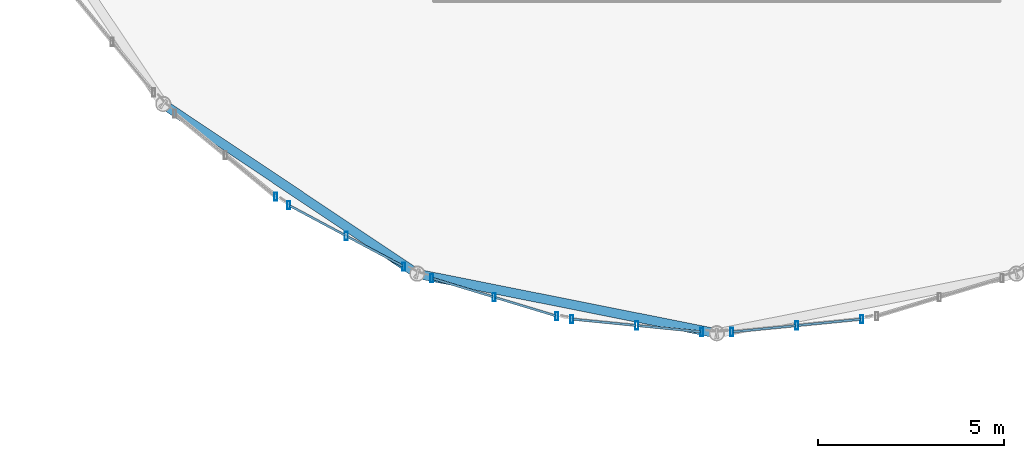
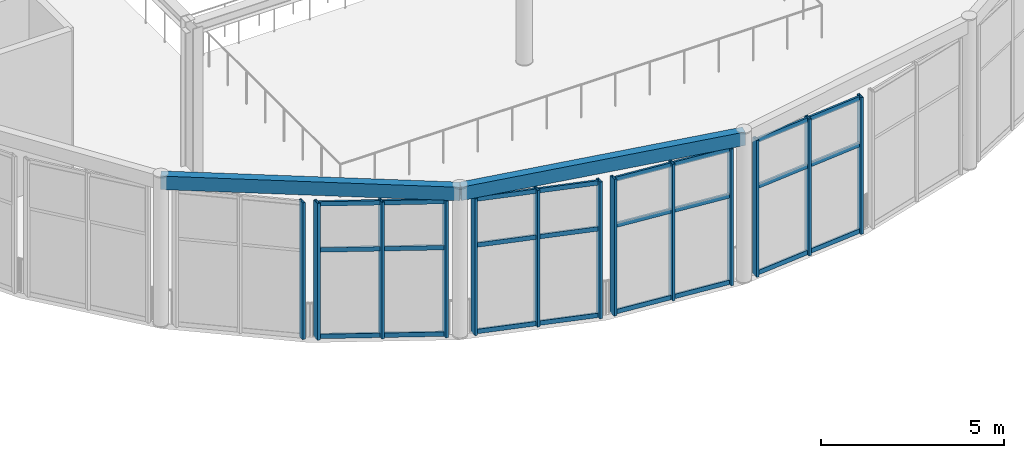
# One storey, part 23 of 195: 37 members, 2 beams, 5 elements without a shape of their own.
"""IFC4 building model written with IfcOpenShell, lengths in metres."""

from ifc_helpers import new_model, si_unit, direction, frame, origin, origin_2d, place, context, subcontext, project, spatial, hollow_rectangle, extrude, material, layer, layer_set, material_profile, profile_set, type_object, element, aggregate, save


model = new_model("IFC4")

# Units and contexts
model_context = context("Model", 3, precision=1e-05, world=origin(), true_north=direction((0.0, 1.0)))
body_context = subcontext(model_context, "Body", "Model", "MODEL_VIEW")
ifc_project = project(units=[si_unit("LENGTHUNIT", "METRE"), si_unit("AREAUNIT", "SQUARE_METRE"), si_unit("VOLUMEUNIT", "CUBIC_METRE"), si_unit("PLANEANGLEUNIT", "RADIAN"), si_unit("MASSUNIT", "GRAM", prefix="KILO")], contexts=[model_context])

# Site, building, storey
site_placement = place(None, origin())
site = spatial("IfcSite", under=ifc_project, at=site_placement, CompositionType="ELEMENT")
building_placement = place(site_placement, origin())
building = spatial("IfcBuilding", under=site, at=building_placement, Name="Marlcrest Central Station", CompositionType="ELEMENT")
storey_placement = place(building_placement, frame((0.0, 0.0, 9.800048828125)))
storey = spatial("IfcBuildingStorey", under=building, at=storey_placement, Name="L02", CompositionType="ELEMENT", Elevation=9.800048828125)

# Curtain wall, member
ifc_material_1 = material(Name="Anodised aluminium and hurricane laminated glass", Category="aluminium")
ifc_layer = layer(ifc_material_1, 0.219970703125, Name="CW-U1")
ifc_layer_set = layer_set([ifc_layer], Name="Anodised aluminium and hurricane laminated glass")
curtain_wall_type = type_object("IfcCurtainWallType", Name="CW-U1", PredefinedType="USERDEFINED", material=ifc_layer_set)
curtain_wall_1_placement = place(storey_placement, origin())
curtain_wall_1 = element("IfcCurtainWall", 1, at=curtain_wall_1_placement, inside=storey, type_object=curtain_wall_type, Name="cw-L02-0029", ObjectType="UNITISED_CURTAIN_WALL", PredefinedType="USERDEFINED")
ifc_material_2 = material(Name="Anodised aluminium 6063-T6", Category="aluminium")
ifc_material_profile_1 = material_profile(ifc_material_2, hollow_rectangle(XDim=0.080078125, YDim=0.219970703125, WallThickness=0.006103515625, at=origin_2d()), Name="AA-RHS 220x80x6")
ifc_profile_set_1 = profile_set([ifc_material_profile_1], Name="Anodised aluminium 6063-T6")
member_type_1 = type_object("IfcMemberType", Name="ML-01", PredefinedType="MULLION", material=ifc_profile_set_1)
member_1_placement = place(storey_placement, frame((96.173828125, 5.169677734375, -0.030029296875), z_axis=(0.0, 0.0, 1.0), x_axis=(1.0, 0.0, 0.0)))
member_1 = element("IfcMember", 2, at=member_1_placement, type_object=member_type_1, Name="cw-L02-0029-ml-0", PredefinedType="MULLION", context=body_context, shape_type="SweptSolid", body=[
    extrude(hollow_rectangle(XDim=0.080078125, YDim=0.219970703125, WallThickness=0.006103515625, at=origin_2d()), origin(), (0.0, 0.0, 1.0), 4.56005859375),
])
aggregate(curtain_wall_1, [member_1])

# Curtain wall, members
curtain_wall_2_placement = place(storey_placement, origin())
curtain_wall_2 = element("IfcCurtainWall", 3, at=curtain_wall_2_placement, inside=storey, type_object=curtain_wall_type, Name="cw-L02-0030", ObjectType="UNITISED_CURTAIN_WALL", PredefinedType="USERDEFINED")
member_2_placement = place(storey_placement, frame((99.607666015625, 3.289306640625, -0.030029296875), z_axis=(0.0, 0.0, 1.0), x_axis=(1.0, 0.0, 0.0)))
member_2 = element("IfcMember", 4, at=member_2_placement, type_object=member_type_1, Name="cw-L02-0030-ml-0", PredefinedType="MULLION", context=body_context, shape_type="SweptSolid", body=[
    extrude(hollow_rectangle(XDim=0.080078125, YDim=0.219970703125, WallThickness=0.006103515625, at=origin_2d()), origin(), (0.0, 0.0, 1.0), 4.56005859375),
])
member_3_placement = place(storey_placement, frame((98.06103515625, 4.11572265625, -0.030029296875), z_axis=(0.0, 0.0, 1.0), x_axis=(1.0, 0.0, 0.0)))
member_3 = element("IfcMember", 5, at=member_3_placement, type_object=member_type_1, Name="cw-L02-0030-ml-1", PredefinedType="MULLION", context=body_context, shape_type="SweptSolid", body=[
    extrude(hollow_rectangle(XDim=0.080078125, YDim=0.219970703125, WallThickness=0.006103515625, at=origin_2d()), origin(), (0.0, 0.0, 1.0), 4.56005859375),
])
member_4_placement = place(storey_placement, frame((96.514404296875, 4.94189453125, -0.030029296875), z_axis=(0.0, 0.0, 1.0), x_axis=(1.0, 0.0, 0.0)))
member_4 = element("IfcMember", 6, at=member_4_placement, type_object=member_type_1, Name="cw-L02-0030-ml-2", PredefinedType="MULLION", context=body_context, shape_type="SweptSolid", body=[
    extrude(hollow_rectangle(XDim=0.080078125, YDim=0.219970703125, WallThickness=0.006103515625, at=origin_2d()), origin(), (0.0, 0.0, 1.0), 4.56005859375),
])

curtain_wall_3_placement = place(storey_placement, origin())
curtain_wall_3 = element("IfcCurtainWall", 7, at=curtain_wall_3_placement, inside=storey, type_object=curtain_wall_type, Name="cw-L02-0031", ObjectType="UNITISED_CURTAIN_WALL", PredefinedType="USERDEFINED")
member_5_placement = place(storey_placement, frame((103.7060546875, 1.963623046875, -0.030029296875), z_axis=(0.0, 0.0, 1.0), x_axis=(1.0, 0.0, 0.0)))
member_5 = element("IfcMember", 8, at=member_5_placement, type_object=member_type_1, Name="cw-L02-0031-ml-0", PredefinedType="MULLION", context=body_context, shape_type="SweptSolid", body=[
    extrude(hollow_rectangle(XDim=0.080078125, YDim=0.219970703125, WallThickness=0.006103515625, at=origin_2d()), origin(), (0.0, 0.0, 1.0), 4.56005859375),
])
member_6_placement = place(storey_placement, frame((102.0283203125, 2.47265625, -0.030029296875), z_axis=(0.0, 0.0, 1.0), x_axis=(1.0, 0.0, 0.0)))
member_6 = element("IfcMember", 9, at=member_6_placement, type_object=member_type_1, Name="cw-L02-0031-ml-1", PredefinedType="MULLION", context=body_context, shape_type="SweptSolid", body=[
    extrude(hollow_rectangle(XDim=0.080078125, YDim=0.219970703125, WallThickness=0.006103515625, at=origin_2d()), origin(), (0.0, 0.0, 1.0), 4.56005859375),
])
member_7_placement = place(storey_placement, frame((100.3505859375, 2.981689453125, -0.030029296875), z_axis=(0.0, 0.0, 1.0), x_axis=(1.0, 0.0, 0.0)))
member_7 = element("IfcMember", 10, at=member_7_placement, type_object=member_type_1, Name="cw-L02-0031-ml-2", PredefinedType="MULLION", context=body_context, shape_type="SweptSolid", body=[
    extrude(hollow_rectangle(XDim=0.080078125, YDim=0.219970703125, WallThickness=0.006103515625, at=origin_2d()), origin(), (0.0, 0.0, 1.0), 4.56005859375),
])

curtain_wall_4_placement = place(storey_placement, origin())
curtain_wall_4 = element("IfcCurtainWall", 11, at=curtain_wall_4_placement, inside=storey, type_object=curtain_wall_type, Name="cw-L02-0032", ObjectType="UNITISED_CURTAIN_WALL", PredefinedType="USERDEFINED")
member_8_placement = place(storey_placement, frame((107.597900390625, 1.53955078125, -0.030029296875), z_axis=(0.0, 0.0, 1.0), x_axis=(1.0, 0.0, 0.0)))
member_8 = element("IfcMember", 12, at=member_8_placement, type_object=member_type_1, Name="cw-L02-0032-ml-0", PredefinedType="MULLION", context=body_context, shape_type="SweptSolid", body=[
    extrude(hollow_rectangle(XDim=0.080078125, YDim=0.219970703125, WallThickness=0.006103515625, at=origin_2d()), origin(), (0.0, 0.0, 1.0), 4.56005859375),
])
member_9_placement = place(storey_placement, frame((105.852783203125, 1.711669921875, -0.030029296875), z_axis=(0.0, 0.0, 1.0), x_axis=(1.0, 0.0, 0.0)))
member_9 = element("IfcMember", 13, at=member_9_placement, type_object=member_type_1, Name="cw-L02-0032-ml-1", PredefinedType="MULLION", context=body_context, shape_type="SweptSolid", body=[
    extrude(hollow_rectangle(XDim=0.080078125, YDim=0.219970703125, WallThickness=0.006103515625, at=origin_2d()), origin(), (0.0, 0.0, 1.0), 4.56005859375),
])
member_10_placement = place(storey_placement, frame((104.10791015625, 1.8837890625, -0.030029296875), z_axis=(0.0, 0.0, 1.0), x_axis=(1.0, 0.0, 0.0)))
member_10 = element("IfcMember", 14, at=member_10_placement, type_object=member_type_1, Name="cw-L02-0032-ml-2", PredefinedType="MULLION", context=body_context, shape_type="SweptSolid", body=[
    extrude(hollow_rectangle(XDim=0.080078125, YDim=0.219970703125, WallThickness=0.006103515625, at=origin_2d()), origin(), (0.0, 0.0, 1.0), 4.56005859375),
])

curtain_wall_5_placement = place(storey_placement, origin())
curtain_wall_5 = element("IfcCurtainWall", 15, at=curtain_wall_5_placement, inside=storey, type_object=curtain_wall_type, Name="cw-L02-0033", ObjectType="UNITISED_CURTAIN_WALL", PredefinedType="USERDEFINED")
member_11_placement = place(storey_placement, frame((111.89208984375, 1.8837890625, -0.030029296875), z_axis=(0.0, 0.0, 1.0), x_axis=(1.0, 0.0, 0.0)))
member_11 = element("IfcMember", 16, at=member_11_placement, type_object=member_type_1, Name="cw-L02-0033-ml-0", PredefinedType="MULLION", context=body_context, shape_type="SweptSolid", body=[
    extrude(hollow_rectangle(XDim=0.080078125, YDim=0.219970703125, WallThickness=0.006103515625, at=origin_2d()), origin(), (0.0, 0.0, 1.0), 4.56005859375),
])
member_12_placement = place(storey_placement, frame((110.147216796875, 1.711669921875, -0.030029296875), z_axis=(0.0, 0.0, 1.0), x_axis=(1.0, 0.0, 0.0)))
member_12 = element("IfcMember", 17, at=member_12_placement, type_object=member_type_1, Name="cw-L02-0033-ml-1", PredefinedType="MULLION", context=body_context, shape_type="SweptSolid", body=[
    extrude(hollow_rectangle(XDim=0.080078125, YDim=0.219970703125, WallThickness=0.006103515625, at=origin_2d()), origin(), (0.0, 0.0, 1.0), 4.56005859375),
])
member_13_placement = place(storey_placement, frame((108.402099609375, 1.53955078125, -0.030029296875), z_axis=(0.0, 0.0, 1.0), x_axis=(1.0, 0.0, 0.0)))
member_13 = element("IfcMember", 18, at=member_13_placement, type_object=member_type_1, Name="cw-L02-0033-ml-2", PredefinedType="MULLION", context=body_context, shape_type="SweptSolid", body=[
    extrude(hollow_rectangle(XDim=0.080078125, YDim=0.219970703125, WallThickness=0.006103515625, at=origin_2d()), origin(), (0.0, 0.0, 1.0), 4.56005859375),
])

# Beams
ifc_material_3 = material(Name="Steel S355", Category="steel")
ifc_material_profile_2 = material_profile(ifc_material_3, hollow_rectangle(XDim=0.25, YDim=0.449951171875, WallThickness=0.01611328125, at=origin_2d()), Name="RHS 450x250x16")
ifc_profile_set_2 = profile_set([ifc_material_profile_2], Name="Steel S355")
beam_type = type_object("IfcBeamType", Name="SP-02", PredefinedType="SPANDREL", material=ifc_profile_set_2)
beam_1_placement = place(storey_placement, frame((93.15087890625, 7.65087890625, 4.77001953125), z_axis=(0.831508991937, -0.55551129271, 0.0), x_axis=(0.55551129271, 0.831508991937, 0.0)))
element("IfcBeam", 19, at=beam_1_placement, inside=storey, type_object=beam_type, Name="bm-SP-02-L02-01372", PredefinedType="SPANDREL", context=body_context, shape_type="SweptSolid", body=[
    extrude(hollow_rectangle(XDim=0.25, YDim=0.449951171875, WallThickness=0.01611328125, at=origin_2d()), origin(), (0.0, 0.0, 1.0), 8.19384765625),
])
beam_2_placement = place(storey_placement, frame((99.964111328125, 3.09912109375, 4.77001953125), z_axis=(0.980769316421, -0.19517056122, 0.0), x_axis=(0.19517056122, 0.980769316421, 0.0)))
element("IfcBeam", 20, at=beam_2_placement, inside=storey, type_object=beam_type, Name="bm-SP-02-L02-01373", PredefinedType="SPANDREL", context=body_context, shape_type="SweptSolid", body=[
    extrude(hollow_rectangle(XDim=0.25, YDim=0.449951171875, WallThickness=0.01611328125, at=origin_2d()), origin(), (0.0, 0.0, 1.0), 8.193359375),
])

# Member
ifc_material_profile_3 = material_profile(ifc_material_2, hollow_rectangle(XDim=0.06005859375, YDim=0.14990234375, WallThickness=0.00390625, at=origin_2d()), Name="AA-RHS 150x60x4")
ifc_profile_set_3 = profile_set([ifc_material_profile_3], Name="Anodised aluminium 6063-T6")
member_type_2 = type_object("IfcMemberType", Name="TR-01", PredefinedType="USERDEFINED", material=ifc_profile_set_3)
member_14_placement = place(storey_placement, frame((99.57421875, 3.307373046875, 0.0400390625), z_axis=(-0.882022398889, 0.471207478568, 0.0), x_axis=(-0.471207478568, -0.882022398889, 0.0)))
member_14 = element("IfcMember", 21, at=member_14_placement, type_object=member_type_2, Name="cw-L02-0030-tr-0-sill", ObjectType="TRANSOM", PredefinedType="USERDEFINED", context=body_context, shape_type="SweptSolid", body=[
    extrude(hollow_rectangle(XDim=0.06005859375, YDim=0.14990234375, WallThickness=0.00390625, at=origin_2d()), origin(), (0.0, 0.0, 1.0), 1.677734375),
])

member_15_placement = place(storey_placement, frame((99.57421875, 3.307373046875, 2.925048828125), z_axis=(-0.882022398889, 0.471207478568, 0.0), x_axis=(-0.471207478568, -0.882022398889, 0.0)))
member_15 = element("IfcMember", 22, at=member_15_placement, type_object=member_type_2, Name="cw-L02-0030-tr-0-mid", ObjectType="TRANSOM", PredefinedType="USERDEFINED", context=body_context, shape_type="SweptSolid", body=[
    extrude(hollow_rectangle(XDim=0.06005859375, YDim=0.14990234375, WallThickness=0.00390625, at=origin_2d()), origin(), (0.0, 0.0, 1.0), 1.677734375),
])

member_16_placement = place(storey_placement, frame((99.57421875, 3.307373046875, 4.4599609375), z_axis=(-0.882022398889, 0.471207478568, 0.0), x_axis=(-0.471207478568, -0.882022398889, 0.0)))
member_16 = element("IfcMember", 23, at=member_16_placement, type_object=member_type_2, Name="cw-L02-0030-tr-0-head", ObjectType="TRANSOM", PredefinedType="USERDEFINED", context=body_context, shape_type="SweptSolid", body=[
    extrude(hollow_rectangle(XDim=0.06005859375, YDim=0.14990234375, WallThickness=0.00390625, at=origin_2d()), origin(), (0.0, 0.0, 1.0), 1.677734375),
])

member_17_placement = place(storey_placement, frame((98.027587890625, 4.133544921875, 0.0400390625), z_axis=(-0.881990080976, 0.47126796736, 0.0), x_axis=(-0.47126796736, -0.881990080976, 0.0)))
member_17 = element("IfcMember", 24, at=member_17_placement, type_object=member_type_2, Name="cw-L02-0030-tr-1-sill", ObjectType="TRANSOM", PredefinedType="USERDEFINED", context=body_context, shape_type="SweptSolid", body=[
    extrude(hollow_rectangle(XDim=0.06005859375, YDim=0.14990234375, WallThickness=0.00390625, at=origin_2d()), origin(), (0.0, 0.0, 1.0), 1.677490234375),
])

member_18_placement = place(storey_placement, frame((98.027587890625, 4.133544921875, 2.925048828125), z_axis=(-0.881990080976, 0.47126796736, 0.0), x_axis=(-0.47126796736, -0.881990080976, 0.0)))
member_18 = element("IfcMember", 25, at=member_18_placement, type_object=member_type_2, Name="cw-L02-0030-tr-1-mid", ObjectType="TRANSOM", PredefinedType="USERDEFINED", context=body_context, shape_type="SweptSolid", body=[
    extrude(hollow_rectangle(XDim=0.06005859375, YDim=0.14990234375, WallThickness=0.00390625, at=origin_2d()), origin(), (0.0, 0.0, 1.0), 1.677490234375),
])

member_19_placement = place(storey_placement, frame((98.027587890625, 4.133544921875, 4.4599609375), z_axis=(-0.881990080976, 0.47126796736, 0.0), x_axis=(-0.47126796736, -0.881990080976, 0.0)))
member_19 = element("IfcMember", 26, at=member_19_placement, type_object=member_type_2, Name="cw-L02-0030-tr-1-head", ObjectType="TRANSOM", PredefinedType="USERDEFINED", context=body_context, shape_type="SweptSolid", body=[
    extrude(hollow_rectangle(XDim=0.06005859375, YDim=0.14990234375, WallThickness=0.00390625, at=origin_2d()), origin(), (0.0, 0.0, 1.0), 1.677490234375),
])

aggregate(curtain_wall_2, [member_2, member_3, member_4, member_14, member_15, member_16, member_17, member_18, member_19])

member_20_placement = place(storey_placement, frame((103.669677734375, 1.974853515625, 0.0400390625), z_axis=(-0.95694846695, 0.29025787087, 0.0), x_axis=(-0.29025787087, -0.95694846695, 0.0)))
member_20 = element("IfcMember", 27, at=member_20_placement, type_object=member_type_2, Name="cw-L02-0031-tr-0-sill", ObjectType="TRANSOM", PredefinedType="USERDEFINED", context=body_context, shape_type="SweptSolid", body=[
    extrude(hollow_rectangle(XDim=0.06005859375, YDim=0.14990234375, WallThickness=0.00390625, at=origin_2d()), origin(), (0.0, 0.0, 1.0), 1.67724609375),
])

member_21_placement = place(storey_placement, frame((103.669677734375, 1.974853515625, 2.925048828125), z_axis=(-0.95694846695, 0.29025787087, 0.0), x_axis=(-0.29025787087, -0.95694846695, 0.0)))
member_21 = element("IfcMember", 28, at=member_21_placement, type_object=member_type_2, Name="cw-L02-0031-tr-0-mid", ObjectType="TRANSOM", PredefinedType="USERDEFINED", context=body_context, shape_type="SweptSolid", body=[
    extrude(hollow_rectangle(XDim=0.06005859375, YDim=0.14990234375, WallThickness=0.00390625, at=origin_2d()), origin(), (0.0, 0.0, 1.0), 1.67724609375),
])

member_22_placement = place(storey_placement, frame((103.669677734375, 1.974853515625, 4.4599609375), z_axis=(-0.95694846695, 0.29025787087, 0.0), x_axis=(-0.29025787087, -0.95694846695, 0.0)))
member_22 = element("IfcMember", 29, at=member_22_placement, type_object=member_type_2, Name="cw-L02-0031-tr-0-head", ObjectType="TRANSOM", PredefinedType="USERDEFINED", context=body_context, shape_type="SweptSolid", body=[
    extrude(hollow_rectangle(XDim=0.06005859375, YDim=0.14990234375, WallThickness=0.00390625, at=origin_2d()), origin(), (0.0, 0.0, 1.0), 1.67724609375),
])

member_23_placement = place(storey_placement, frame((101.991943359375, 2.48388671875, 0.0400390625), z_axis=(-0.95694846695, 0.29025787087, 0.0), x_axis=(-0.29025787087, -0.95694846695, 0.0)))
member_23 = element("IfcMember", 30, at=member_23_placement, type_object=member_type_2, Name="cw-L02-0031-tr-1-sill", ObjectType="TRANSOM", PredefinedType="USERDEFINED", context=body_context, shape_type="SweptSolid", body=[
    extrude(hollow_rectangle(XDim=0.06005859375, YDim=0.14990234375, WallThickness=0.00390625, at=origin_2d()), origin(), (0.0, 0.0, 1.0), 1.67724609375),
])

member_24_placement = place(storey_placement, frame((101.991943359375, 2.48388671875, 2.925048828125), z_axis=(-0.95694846695, 0.29025787087, 0.0), x_axis=(-0.29025787087, -0.95694846695, 0.0)))
member_24 = element("IfcMember", 31, at=member_24_placement, type_object=member_type_2, Name="cw-L02-0031-tr-1-mid", ObjectType="TRANSOM", PredefinedType="USERDEFINED", context=body_context, shape_type="SweptSolid", body=[
    extrude(hollow_rectangle(XDim=0.06005859375, YDim=0.14990234375, WallThickness=0.00390625, at=origin_2d()), origin(), (0.0, 0.0, 1.0), 1.67724609375),
])

member_25_placement = place(storey_placement, frame((101.991943359375, 2.48388671875, 4.4599609375), z_axis=(-0.95694846695, 0.29025787087, 0.0), x_axis=(-0.29025787087, -0.95694846695, 0.0)))
member_25 = element("IfcMember", 32, at=member_25_placement, type_object=member_type_2, Name="cw-L02-0031-tr-1-head", ObjectType="TRANSOM", PredefinedType="USERDEFINED", context=body_context, shape_type="SweptSolid", body=[
    extrude(hollow_rectangle(XDim=0.06005859375, YDim=0.14990234375, WallThickness=0.00390625, at=origin_2d()), origin(), (0.0, 0.0, 1.0), 1.67724609375),
])

aggregate(curtain_wall_3, [member_5, member_6, member_7, member_20, member_21, member_22, member_23, member_24, member_25])

member_26_placement = place(storey_placement, frame((107.56005859375, 1.54345703125, 0.0400390625), z_axis=(-0.99517740164, 0.098091484163, 0.0), x_axis=(-0.098091484163, -0.99517740164, 0.0)))
member_26 = element("IfcMember", 33, at=member_26_placement, type_object=member_type_2, Name="cw-L02-0032-tr-0-sill", ObjectType="TRANSOM", PredefinedType="USERDEFINED", context=body_context, shape_type="SweptSolid", body=[
    extrude(hollow_rectangle(XDim=0.06005859375, YDim=0.14990234375, WallThickness=0.00390625, at=origin_2d()), origin(), (0.0, 0.0, 1.0), 1.677490234375),
])

member_27_placement = place(storey_placement, frame((107.56005859375, 1.54345703125, 2.925048828125), z_axis=(-0.99517740164, 0.098091484163, 0.0), x_axis=(-0.098091484163, -0.99517740164, 0.0)))
member_27 = element("IfcMember", 34, at=member_27_placement, type_object=member_type_2, Name="cw-L02-0032-tr-0-mid", ObjectType="TRANSOM", PredefinedType="USERDEFINED", context=body_context, shape_type="SweptSolid", body=[
    extrude(hollow_rectangle(XDim=0.06005859375, YDim=0.14990234375, WallThickness=0.00390625, at=origin_2d()), origin(), (0.0, 0.0, 1.0), 1.677490234375),
])

member_28_placement = place(storey_placement, frame((107.56005859375, 1.54345703125, 4.4599609375), z_axis=(-0.99517740164, 0.098091484163, 0.0), x_axis=(-0.098091484163, -0.99517740164, 0.0)))
member_28 = element("IfcMember", 35, at=member_28_placement, type_object=member_type_2, Name="cw-L02-0032-tr-0-head", ObjectType="TRANSOM", PredefinedType="USERDEFINED", context=body_context, shape_type="SweptSolid", body=[
    extrude(hollow_rectangle(XDim=0.06005859375, YDim=0.14990234375, WallThickness=0.00390625, at=origin_2d()), origin(), (0.0, 0.0, 1.0), 1.677490234375),
])

member_29_placement = place(storey_placement, frame((105.815185546875, 1.715576171875, 0.0400390625), z_axis=(-0.99517740164, 0.098091484163, 0.0), x_axis=(-0.098091484163, -0.99517740164, 0.0)))
member_29 = element("IfcMember", 36, at=member_29_placement, type_object=member_type_2, Name="cw-L02-0032-tr-1-sill", ObjectType="TRANSOM", PredefinedType="USERDEFINED", context=body_context, shape_type="SweptSolid", body=[
    extrude(hollow_rectangle(XDim=0.06005859375, YDim=0.14990234375, WallThickness=0.00390625, at=origin_2d()), origin(), (0.0, 0.0, 1.0), 1.677490234375),
])

member_30_placement = place(storey_placement, frame((105.815185546875, 1.715576171875, 2.925048828125), z_axis=(-0.99517740164, 0.098091484163, 0.0), x_axis=(-0.098091484163, -0.99517740164, 0.0)))
member_30 = element("IfcMember", 37, at=member_30_placement, type_object=member_type_2, Name="cw-L02-0032-tr-1-mid", ObjectType="TRANSOM", PredefinedType="USERDEFINED", context=body_context, shape_type="SweptSolid", body=[
    extrude(hollow_rectangle(XDim=0.06005859375, YDim=0.14990234375, WallThickness=0.00390625, at=origin_2d()), origin(), (0.0, 0.0, 1.0), 1.677490234375),
])

member_31_placement = place(storey_placement, frame((105.815185546875, 1.715576171875, 4.4599609375), z_axis=(-0.99517740164, 0.098091484163, 0.0), x_axis=(-0.098091484163, -0.99517740164, 0.0)))
member_31 = element("IfcMember", 38, at=member_31_placement, type_object=member_type_2, Name="cw-L02-0032-tr-1-head", ObjectType="TRANSOM", PredefinedType="USERDEFINED", context=body_context, shape_type="SweptSolid", body=[
    extrude(hollow_rectangle(XDim=0.06005859375, YDim=0.14990234375, WallThickness=0.00390625, at=origin_2d()), origin(), (0.0, 0.0, 1.0), 1.677490234375),
])

aggregate(curtain_wall_4, [member_8, member_9, member_10, member_26, member_27, member_28, member_29, member_30, member_31])

member_32_placement = place(storey_placement, frame((111.854248046875, 1.880126953125, 0.0400390625), z_axis=(-0.99517740164, -0.098091484163, 0.0), x_axis=(0.098091484163, -0.99517740164, 0.0)))
member_32 = element("IfcMember", 39, at=member_32_placement, type_object=member_type_2, Name="cw-L02-0033-tr-0-sill", ObjectType="TRANSOM", PredefinedType="USERDEFINED", context=body_context, shape_type="SweptSolid", body=[
    extrude(hollow_rectangle(XDim=0.06005859375, YDim=0.14990234375, WallThickness=0.00390625, at=origin_2d()), origin(), (0.0, 0.0, 1.0), 1.677490234375),
])

member_33_placement = place(storey_placement, frame((111.854248046875, 1.880126953125, 2.925048828125), z_axis=(-0.99517740164, -0.098091484163, 0.0), x_axis=(0.098091484163, -0.99517740164, 0.0)))
member_33 = element("IfcMember", 40, at=member_33_placement, type_object=member_type_2, Name="cw-L02-0033-tr-0-mid", ObjectType="TRANSOM", PredefinedType="USERDEFINED", context=body_context, shape_type="SweptSolid", body=[
    extrude(hollow_rectangle(XDim=0.06005859375, YDim=0.14990234375, WallThickness=0.00390625, at=origin_2d()), origin(), (0.0, 0.0, 1.0), 1.677490234375),
])

member_34_placement = place(storey_placement, frame((111.854248046875, 1.880126953125, 4.4599609375), z_axis=(-0.99517740164, -0.098091484163, 0.0), x_axis=(0.098091484163, -0.99517740164, 0.0)))
member_34 = element("IfcMember", 41, at=member_34_placement, type_object=member_type_2, Name="cw-L02-0033-tr-0-head", ObjectType="TRANSOM", PredefinedType="USERDEFINED", context=body_context, shape_type="SweptSolid", body=[
    extrude(hollow_rectangle(XDim=0.06005859375, YDim=0.14990234375, WallThickness=0.00390625, at=origin_2d()), origin(), (0.0, 0.0, 1.0), 1.677490234375),
])

member_35_placement = place(storey_placement, frame((110.109375, 1.7080078125, 0.0400390625), z_axis=(-0.99517740164, -0.098091484163, 0.0), x_axis=(0.098091484163, -0.99517740164, 0.0)))
member_35 = element("IfcMember", 42, at=member_35_placement, type_object=member_type_2, Name="cw-L02-0033-tr-1-sill", ObjectType="TRANSOM", PredefinedType="USERDEFINED", context=body_context, shape_type="SweptSolid", body=[
    extrude(hollow_rectangle(XDim=0.06005859375, YDim=0.14990234375, WallThickness=0.00390625, at=origin_2d()), origin(), (0.0, 0.0, 1.0), 1.677490234375),
])

member_36_placement = place(storey_placement, frame((110.109375, 1.7080078125, 2.925048828125), z_axis=(-0.99517740164, -0.098091484163, 0.0), x_axis=(0.098091484163, -0.99517740164, 0.0)))
member_36 = element("IfcMember", 43, at=member_36_placement, type_object=member_type_2, Name="cw-L02-0033-tr-1-mid", ObjectType="TRANSOM", PredefinedType="USERDEFINED", context=body_context, shape_type="SweptSolid", body=[
    extrude(hollow_rectangle(XDim=0.06005859375, YDim=0.14990234375, WallThickness=0.00390625, at=origin_2d()), origin(), (0.0, 0.0, 1.0), 1.677490234375),
])

member_37_placement = place(storey_placement, frame((110.109375, 1.7080078125, 4.4599609375), z_axis=(-0.99517740164, -0.098091484163, 0.0), x_axis=(0.098091484163, -0.99517740164, 0.0)))
member_37 = element("IfcMember", 44, at=member_37_placement, type_object=member_type_2, Name="cw-L02-0033-tr-1-head", ObjectType="TRANSOM", PredefinedType="USERDEFINED", context=body_context, shape_type="SweptSolid", body=[
    extrude(hollow_rectangle(XDim=0.06005859375, YDim=0.14990234375, WallThickness=0.00390625, at=origin_2d()), origin(), (0.0, 0.0, 1.0), 1.677490234375),
])

aggregate(curtain_wall_5, [member_11, member_12, member_13, member_32, member_33, member_34, member_35, member_36, member_37])

save(model, "model.ifc")
